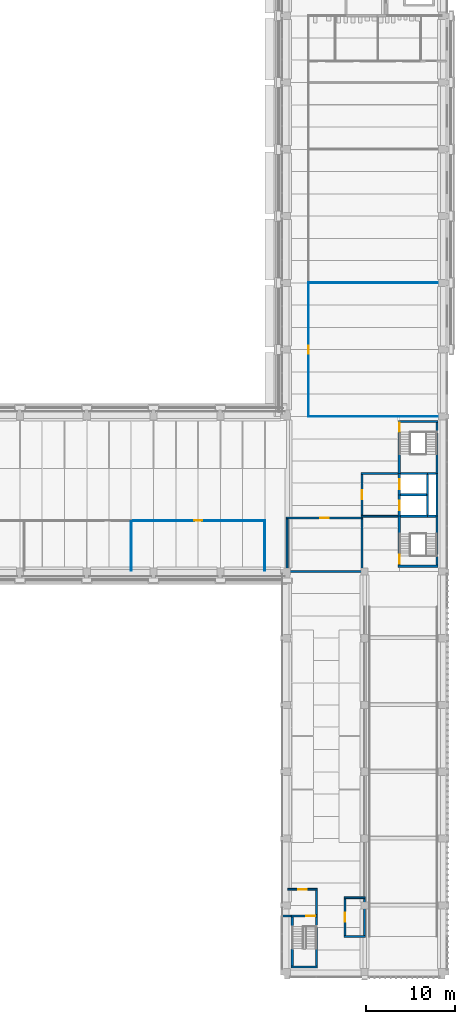
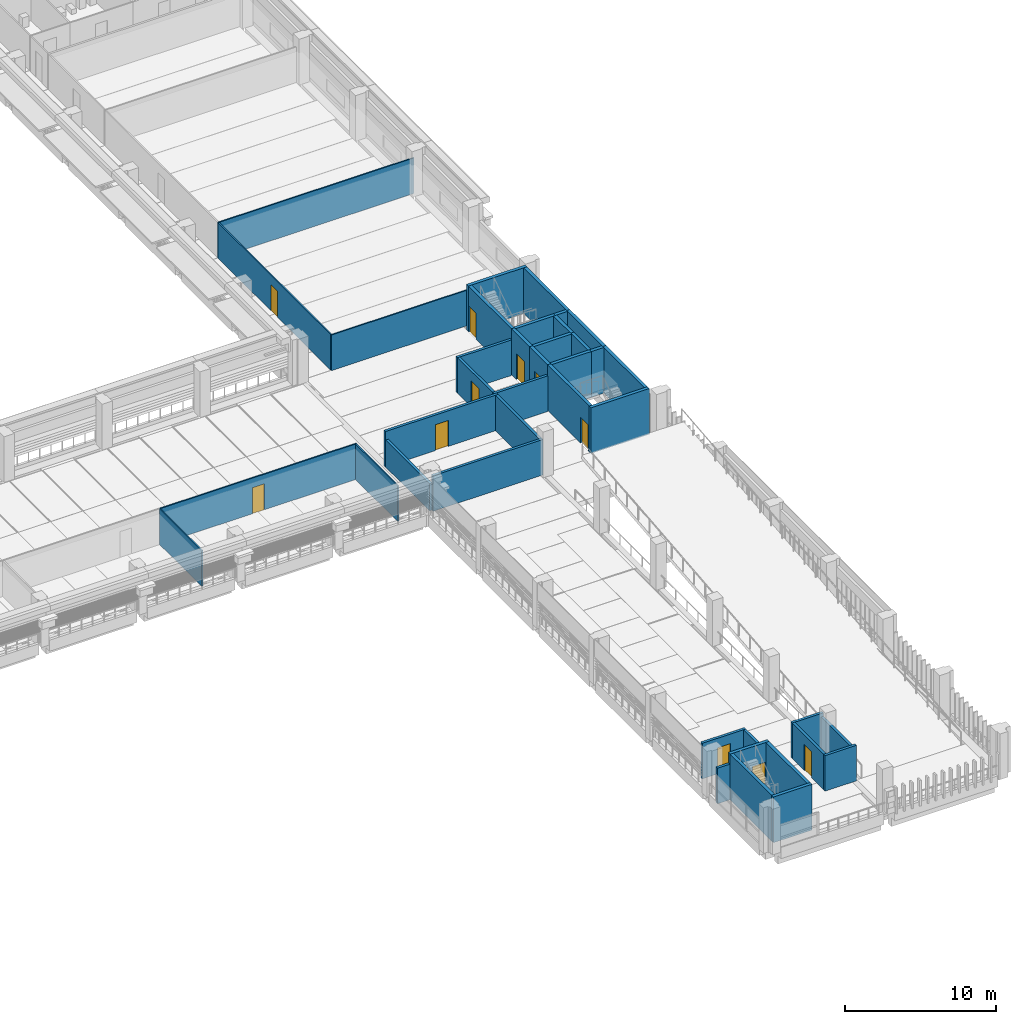
# One storey, part 35 of 71: 40 walls, 11 doors, 11 openings.
"""IFC4 building model written with IfcOpenShell, lengths in metres."""

from ifc_helpers import new_model, si_unit, direction, frame, frame_2d, origin, place, context, subcontext, project, spatial, rectangle, extrude, material, layer, layer_set, type_object, element, fill, save


model = new_model("IFC4")

# Units and contexts
model_context = context("Model", 3, precision=1e-05, world=origin(), true_north=direction((0.0, 1.0)))
body_context = subcontext(model_context, "Body", "Model", "MODEL_VIEW")
ifc_project = project(units=[si_unit("LENGTHUNIT", "METRE"), si_unit("AREAUNIT", "SQUARE_METRE"), si_unit("VOLUMEUNIT", "CUBIC_METRE"), si_unit("PLANEANGLEUNIT", "RADIAN"), si_unit("MASSUNIT", "GRAM", prefix="KILO")], contexts=[model_context])

# Site, building, storey
site_placement = place(None, origin())
site = spatial("IfcSite", under=ifc_project, at=site_placement, CompositionType="ELEMENT")
building_placement = place(site_placement, origin())
building = spatial("IfcBuilding", under=site, at=building_placement, Name="Cour d'Honneur Mobility Palace", CompositionType="ELEMENT")
storey_placement = place(building_placement, frame((0.0, 0.0, 15.60009765625)))
storey = spatial("IfcBuildingStorey", under=building, at=storey_placement, Name="L04", CompositionType="ELEMENT", Elevation=15.60009765625)

# Wall
ifc_material_1 = material(Name="Concrete C50", Category="concrete")
ifc_layer_1 = layer(ifc_material_1, 0.25)
ifc_layer_set_1 = layer_set([ifc_layer_1], Name="Concrete C50")
wall_type_1 = type_object("IfcWallType", Name="Lift shaft wall 250", PredefinedType="SHEAR", material=ifc_layer_set_1)
wall_1_placement = place(storey_placement, frame((157.625, 53.60009765625, 0.0), z_axis=(0.0, 0.0, 1.0), x_axis=(1.0, 0.0, 0.0)))
element("IfcWall", 1, at=wall_1_placement, inside=storey, type_object=wall_type_1, Name="Lift shaft wall WL-CE4 L04", PredefinedType="SHEAR", context=body_context, shape_type="SweptSolid", body=[
    extrude(rectangle(XDim=2.89990234375, YDim=0.25, at=frame_2d((1.449951171875, 0.0))), origin(), (0.0, 0.0, 1.0), 3.699951171875),
])

# Wall, opening, door
wall_2_placement = place(storey_placement, frame((157.5, 51.199951171875, 0.0), z_axis=(0.0, 0.0, 1.0), x_axis=(0.0, 1.0, 0.0)))
wall_2 = element("IfcWall", 2, at=wall_2_placement, inside=storey, type_object=wall_type_1, Name="Lift shaft wall WL-CE9 L04", PredefinedType="SHEAR", context=body_context, shape_type="SweptSolid", body=[
    extrude(rectangle(XDim=2.400146484375, YDim=0.25, at=frame_2d((1.2001953125, 0.0))), origin(), (0.0, 0.0, 1.0), 3.699951171875),
])
opening_1_placement = place(wall_2_placement, frame((0.64990234375, 0.0, 0.0)))
opening_1 = element("IfcOpeningElement", 3, at=opening_1_placement, cuts=wall_2, Name="Opening LD25", PredefinedType="OPENING", context=body_context, shape_type="SweptSolid", body=[
    extrude(rectangle(XDim=1.10009765625, YDim=2.10009765625, at=frame_2d((0.550048828125, 1.050048828125))), frame((0.0, 0.135009765625, 0.0), z_axis=(0.0, -1.0, 0.0), x_axis=(1.0, 0.0, 0.0)), (0.0, 0.0, 1.0), 0.27001953125),
])
ifc_material_2 = material(Name="Stainless steel", Category="steel")
door_type_1 = type_object("IfcDoorType", Name="Landing door 1100 x 2100", OperationType="SLIDING_TO_LEFT", PredefinedType="DOOR", material=ifc_material_2)
door_1_placement = place(opening_1_placement, origin())
door_1 = element("IfcDoor", 4, at=door_1_placement, inside=storey, type_object=door_type_1, Name="Landing door LF-CE1 L04", OperationType="SLIDING_TO_LEFT", OverallHeight=2.10009765625, OverallWidth=1.10009765625, PredefinedType="DOOR", context=body_context, shape_type="SweptSolid", body=[
    extrude(rectangle(XDim=1.10009765625, YDim=2.10009765625, at=frame_2d((0.550048828125, 1.050048828125))), frame((0.0, 0.02490234375, 0.0), z_axis=(0.0, -1.0, 0.0), x_axis=(1.0, 0.0, 0.0)), (0.0, 0.0, 1.0), 0.050048828125),
])
fill(opening_1, door_1)

wall_3_placement = place(storey_placement, frame((157.5, 53.60009765625, 0.0), z_axis=(0.0, 0.0, 1.0), x_axis=(0.0, 1.0, 0.0)))
wall_3 = element("IfcWall", 5, at=wall_3_placement, inside=storey, type_object=wall_type_1, Name="Lift shaft wall WL-CE10 L04", PredefinedType="SHEAR", context=body_context, shape_type="SweptSolid", body=[
    extrude(rectangle(XDim=2.39990234375, YDim=0.25, at=frame_2d((1.199951171875, 0.0))), origin(), (0.0, 0.0, 1.0), 3.699951171875),
])
opening_2_placement = place(wall_3_placement, frame((0.64990234375, 0.0, 0.0)))
opening_2 = element("IfcOpeningElement", 6, at=opening_2_placement, cuts=wall_3, Name="Opening LD35", PredefinedType="OPENING", context=body_context, shape_type="SweptSolid", body=[
    extrude(rectangle(XDim=1.10009765625, YDim=2.10009765625, at=frame_2d((0.550048828125, 1.050048828125))), frame((0.0, 0.135009765625, 0.0), z_axis=(0.0, -1.0, 0.0), x_axis=(1.0, 0.0, 0.0)), (0.0, 0.0, 1.0), 0.27001953125),
])
door_2_placement = place(opening_2_placement, origin())
door_2 = element("IfcDoor", 7, at=door_2_placement, inside=storey, type_object=door_type_1, Name="Landing door LF-CE2 L04", OperationType="SLIDING_TO_LEFT", OverallHeight=2.10009765625, OverallWidth=1.10009765625, PredefinedType="DOOR", context=body_context, shape_type="SweptSolid", body=[
    extrude(rectangle(XDim=1.10009765625, YDim=2.10009765625, at=frame_2d((0.550048828125, 1.050048828125))), frame((0.0, 0.02490234375, 0.0), z_axis=(0.0, -1.0, 0.0), x_axis=(1.0, 0.0, 0.0)), (0.0, 0.0, 1.0), 0.050048828125),
])
fill(opening_2, door_2)

# Walls
wall_4_placement = place(storey_placement, frame((160.64990234375, 51.324951171875, 0.0), z_axis=(0.0, 0.0, 1.0), x_axis=(0.0, 1.0, 0.0)))
element("IfcWall", 8, at=wall_4_placement, inside=storey, type_object=wall_type_1, Name="Lift shaft wall WL-CE12 L04", PredefinedType="SHEAR", context=body_context, shape_type="SweptSolid", body=[
    extrude(rectangle(XDim=2.275146484375, YDim=0.25, at=frame_2d((1.1376953125, 0.0))), origin(), (0.0, 0.0, 1.0), 3.699951171875),
])
wall_5_placement = place(storey_placement, frame((160.64990234375, 53.60009765625, 0.0), z_axis=(0.0, 0.0, 1.0), x_axis=(0.0, 1.0, 0.0)))
element("IfcWall", 9, at=wall_5_placement, inside=storey, type_object=wall_type_1, Name="Lift shaft wall WL-CE13 L04", PredefinedType="SHEAR", context=body_context, shape_type="SweptSolid", body=[
    extrude(rectangle(XDim=2.27490234375, YDim=0.25, at=frame_2d((1.137451171875, 0.0))), origin(), (0.0, 0.0, 1.0), 3.699951171875),
])
ifc_material_3 = material(Name="Gypsum plasterboard")
ifc_layer_2 = layer(ifc_material_3, 0.10009765625)
ifc_layer_set_2 = layer_set([ifc_layer_2], Name="Gypsum plasterboard")
wall_type_2 = type_object("IfcWallType", Name="Partition 100", PredefinedType="PARTITIONING", material=ifc_layer_set_2)
for number, where, z_axis, x_axis, name in (
    (10, (142.39990234375, 45.06005859375, 0.0), (0.0, 0.0, 1.0), (0.0, 1.0, 0.0), "Partition 023"),
    (11, (127.39990234375, 50.64990234375, 0.0), (0.0, 0.0, 1.0), (0.0, -1.0, 0.0), "Partition 039"),
):
    element("IfcWall", number, at=place(storey_placement, frame(where, z_axis=z_axis, x_axis=x_axis)), inside=storey, type_object=wall_type_2, Name=name, PredefinedType="PARTITIONING", context=body_context, shape_type="SweptSolid", body=[
        extrude(rectangle(XDim=5.58984375, YDim=0.10009765625, at=frame_2d((2.794921875, 0.0))), origin(), (0.0, 0.0, 1.0), 2.8798828125),
    ])

# Wall, opening, door
wall_6_placement = place(storey_placement, frame((142.449951171875, 50.699951171875, 0.0), z_axis=(0.0, 0.0, 1.0), x_axis=(-1.0, 0.0, 0.0)))
wall_6 = element("IfcWall", 12, at=wall_6_placement, inside=storey, type_object=wall_type_2, Name="Partition 041", PredefinedType="PARTITIONING", context=body_context, shape_type="SweptSolid", body=[
    extrude(rectangle(XDim=15.050048828125, YDim=0.10009765625, at=frame_2d((7.52490234375, 0.0))), origin(), (0.0, 0.0, 1.0), 2.8798828125),
])
opening_3_placement = place(wall_6_placement, frame((7.074951171875, 0.0, 0.0)))
opening_3 = element("IfcOpeningElement", 13, at=opening_3_placement, cuts=wall_6, Name="Opening D0417", PredefinedType="OPENING", context=body_context, shape_type="SweptSolid", body=[
    extrude(rectangle(XDim=0.89990234375, YDim=2.10009765625, at=frame_2d((0.449951171875, 1.050048828125))), frame((0.0, 0.06005859375, 0.0), z_axis=(0.0, -1.0, 0.0), x_axis=(1.0, 0.0, 0.0)), (0.0, 0.0, 1.0), 0.1201171875),
])
ifc_material_4 = material(Name="Solid timber", Category="wood")
door_type_2 = type_object("IfcDoorType", Name="Single door 900 x 2100", OperationType="SINGLE_SWING_LEFT", PredefinedType="DOOR", material=ifc_material_4)
door_3_placement = place(opening_3_placement, origin())
door_3 = element("IfcDoor", 14, at=door_3_placement, inside=storey, type_object=door_type_2, Name="Door Travel Information Office", OperationType="SINGLE_SWING_RIGHT", OverallHeight=2.10009765625, OverallWidth=0.89990234375, PredefinedType="DOOR", context=body_context, shape_type="SweptSolid", body=[
    extrude(rectangle(XDim=0.89990234375, YDim=2.10009765625, at=frame_2d((0.449951171875, 1.050048828125))), frame((0.0, 0.02490234375, 0.0), z_axis=(0.0, -1.0, 0.0), x_axis=(1.0, 0.0, 0.0)), (0.0, 0.0, 1.0), 0.050048828125),
])
fill(opening_3, door_3)

# Wall
wall_7_placement = place(storey_placement, frame((147.25, 62.39990234375, 0.0), z_axis=(0.0, 0.0, 1.0), x_axis=(1.0, 0.0, 0.0)))
element("IfcWall", 15, at=wall_7_placement, inside=storey, type_object=wall_type_2, Name="Partition 063", PredefinedType="PARTITIONING", context=body_context, shape_type="SweptSolid", body=[
    extrude(rectangle(XDim=14.989990234375, YDim=0.10009765625, at=frame_2d((7.4951171875, 0.0))), origin(), (0.0, 0.0, 1.0), 2.8798828125),
])

# Wall, opening, door
wall_8_placement = place(storey_placement, frame((147.300048828125, 77.35009765625, 0.0), z_axis=(0.0, 0.0, 1.0), x_axis=(0.0, -1.0, 0.0)))
wall_8 = element("IfcWall", 16, at=wall_8_placement, inside=storey, type_object=wall_type_2, Name="Partition 064", PredefinedType="PARTITIONING", context=body_context, shape_type="SweptSolid", body=[
    extrude(rectangle(XDim=14.900146484375, YDim=0.10009765625, at=frame_2d((7.4501953125, 0.0))), origin(), (0.0, 0.0, 1.0), 2.8798828125),
])
opening_4_placement = place(wall_8_placement, frame((7.0, 0.0, 0.0)))
opening_4 = element("IfcOpeningElement", 17, at=opening_4_placement, cuts=wall_8, Name="Opening D0429", PredefinedType="OPENING", context=body_context, shape_type="SweptSolid", body=[
    extrude(rectangle(XDim=0.89990234375, YDim=2.10009765625, at=frame_2d((0.449951171875, 1.050048828125))), frame((0.0, 0.06005859375, 0.0), z_axis=(0.0, -1.0, 0.0), x_axis=(1.0, 0.0, 0.0)), (0.0, 0.0, 1.0), 0.1201171875),
])
door_4_placement = place(opening_4_placement, origin())
door_4 = element("IfcDoor", 18, at=door_4_placement, inside=storey, type_object=door_type_2, Name="Door Community Room 1", OperationType="SINGLE_SWING_LEFT", OverallHeight=2.10009765625, OverallWidth=0.89990234375, PredefinedType="DOOR", context=body_context, shape_type="SweptSolid", body=[
    extrude(rectangle(XDim=0.89990234375, YDim=2.10009765625, at=frame_2d((0.449951171875, 1.050048828125))), frame((0.0, 0.02490234375, 0.0), z_axis=(0.0, -1.0, 0.0), x_axis=(1.0, 0.0, 0.0)), (0.0, 0.0, 1.0), 0.050048828125),
])
fill(opening_4, door_4)

# Walls
wall_9_placement = place(storey_placement, frame((162.239990234375, 77.39990234375, 0.0), z_axis=(0.0, 0.0, 1.0), x_axis=(-1.0, 0.0, 0.0)))
element("IfcWall", 19, at=wall_9_placement, inside=storey, type_object=wall_type_2, Name="Partition 065", PredefinedType="PARTITIONING", context=body_context, shape_type="SweptSolid", body=[
    extrude(rectangle(XDim=14.989990234375, YDim=0.10009765625, at=frame_2d((7.4951171875, 0.0))), origin(), (0.0, 0.0, 1.0), 2.8798828125),
])
ifc_material_5 = material(Name="Gypsum plasterboard")
ifc_layer_3 = layer(ifc_material_5, 0.199951171875)
ifc_layer_set_3 = layer_set([ifc_layer_3], Name="Gypsum plasterboard")
wall_type_3 = type_object("IfcWallType", Name="Partition 200 rated EI 120", PredefinedType="PARTITIONING", material=ifc_layer_set_3)
wall_10_placement = place(storey_placement, frame((151.300048828125, 4.0, 0.0), z_axis=(0.0, 0.0, 1.0), x_axis=(1.0, 0.0, 0.0)))
element("IfcWall", 20, at=wall_10_placement, inside=storey, type_object=wall_type_3, Name="Partition 003", PredefinedType="PARTITIONING", context=body_context, shape_type="SweptSolid", body=[
    extrude(rectangle(XDim=2.39990234375, YDim=0.199951171875, at=frame_2d((1.199951171875, 0.0))), origin(), (0.0, 0.0, 1.0), 2.8798828125),
])
wall_11_placement = place(storey_placement, frame((144.39990234375, 6.300048828125, 0.0), z_axis=(0.0, 0.0, 1.0), x_axis=(1.0, 0.0, 0.0)))
element("IfcWall", 21, at=wall_11_placement, inside=storey, type_object=wall_type_3, Name="Partition 006", PredefinedType="PARTITIONING", context=body_context, shape_type="SweptSolid", body=[
    extrude(rectangle(XDim=0.9501953125, YDim=0.199951171875, at=frame_2d((0.47509765625, 0.0))), origin(), (0.0, 0.0, 1.0), 2.8798828125),
])
wall_12_placement = place(storey_placement, frame((148.199951171875, 6.47509765625, 0.0), z_axis=(0.0, 0.0, 1.0), x_axis=(0.0, 1.0, 0.0)))
element("IfcWall", 22, at=wall_12_placement, inside=storey, type_object=wall_type_3, Name="Partition 007", PredefinedType="PARTITIONING", context=body_context, shape_type="SweptSolid", body=[
    extrude(rectangle(XDim=2.724853515625, YDim=0.199951171875, at=frame_2d((1.3623046875, 0.0))), origin(), (0.0, 0.0, 1.0), 2.8798828125),
])

# Wall, opening, door
wall_13_placement = place(storey_placement, frame((151.39990234375, 8.25, 0.0), z_axis=(0.0, 0.0, 1.0), x_axis=(0.0, -1.0, 0.0)))
wall_13 = element("IfcWall", 23, at=wall_13_placement, inside=storey, type_object=wall_type_3, Name="Partition 010", PredefinedType="PARTITIONING", context=body_context, shape_type="SweptSolid", body=[
    extrude(rectangle(XDim=4.14990234375, YDim=0.199951171875, at=frame_2d((2.074951171875, 0.0))), origin(), (0.0, 0.0, 1.0), 2.8798828125),
])
opening_5_placement = place(wall_13_placement, frame((1.574951171875, 0.0, 0.0)))
opening_5 = element("IfcOpeningElement", 24, at=opening_5_placement, cuts=wall_13, Name="Opening D0410", PredefinedType="OPENING", context=body_context, shape_type="SweptSolid", body=[
    extrude(rectangle(XDim=1.0, YDim=2.10009765625, at=frame_2d((0.5, 1.050048828125))), frame((0.0, 0.10986328125, 0.0), z_axis=(0.0, -1.0, 0.0), x_axis=(1.0, 0.0, 0.0)), (0.0, 0.0, 1.0), 0.219970703125),
])
ifc_material_6 = material(Name="Galvanised steel", Category="steel")
door_type_3 = type_object("IfcDoorType", Name="Fire door FD120 1000 x 2100", OperationType="SINGLE_SWING_LEFT", PredefinedType="DOOR", material=ifc_material_6)
door_5_placement = place(opening_5_placement, origin())
door_5 = element("IfcDoor", 25, at=door_5_placement, inside=storey, type_object=door_type_3, Name="Door EV Switch Room East", OperationType="SINGLE_SWING_RIGHT", OverallHeight=2.10009765625, OverallWidth=1.0, PredefinedType="DOOR", context=body_context, shape_type="SweptSolid", body=[
    extrude(rectangle(XDim=1.0, YDim=2.10009765625, at=frame_2d((0.5, 1.050048828125))), frame((0.0, 0.02490234375, 0.0), z_axis=(0.0, -1.0, 0.0), x_axis=(1.0, 0.0, 0.0)), (0.0, 0.0, 1.0), 0.050048828125),
])
fill(opening_5, door_5)

# Wall
wall_14_placement = place(storey_placement, frame((153.699951171875, 8.35009765625, 0.0), z_axis=(0.0, 0.0, 1.0), x_axis=(-1.0, 0.0, 0.0)))
element("IfcWall", 26, at=wall_14_placement, inside=storey, type_object=wall_type_3, Name="Partition 011", PredefinedType="PARTITIONING", context=body_context, shape_type="SweptSolid", body=[
    extrude(rectangle(XDim=2.39990234375, YDim=0.199951171875, at=frame_2d((1.199951171875, 0.0))), origin(), (0.0, 0.0, 1.0), 2.8798828125),
])

# Wall, opening, door
wall_15_placement = place(storey_placement, frame((148.300048828125, 9.300048828125, 0.0), z_axis=(0.0, 0.0, 1.0), x_axis=(-1.0, 0.0, 0.0)))
wall_15 = element("IfcWall", 27, at=wall_15_placement, inside=storey, type_object=wall_type_3, Name="Partition 014", PredefinedType="PARTITIONING", context=body_context, shape_type="SweptSolid", body=[
    extrude(rectangle(XDim=3.340087890625, YDim=0.199951171875, at=frame_2d((1.669921875, 0.0))), origin(), (0.0, 0.0, 1.0), 2.8798828125),
])
opening_6_placement = place(wall_15_placement, frame((1.169921875, 0.0, 0.0)))
opening_6 = element("IfcOpeningElement", 28, at=opening_6_placement, cuts=wall_15, Name="Opening D0408", PredefinedType="OPENING", context=body_context, shape_type="SweptSolid", body=[
    extrude(rectangle(XDim=1.0, YDim=2.10009765625, at=frame_2d((0.5, 1.050048828125))), frame((0.0, 0.10986328125, 0.0), z_axis=(0.0, -1.0, 0.0), x_axis=(1.0, 0.0, 0.0)), (0.0, 0.0, 1.0), 0.219970703125),
])
door_6_placement = place(opening_6_placement, origin())
door_6 = element("IfcDoor", 29, at=door_6_placement, inside=storey, type_object=door_type_3, Name="Door Stair Lobby RE", OperationType="SINGLE_SWING_RIGHT", OverallHeight=2.10009765625, OverallWidth=1.0, PredefinedType="DOOR", context=body_context, shape_type="SweptSolid", body=[
    extrude(rectangle(XDim=1.0, YDim=2.10009765625, at=frame_2d((0.5, 1.050048828125))), frame((0.0, 0.02490234375, 0.0), z_axis=(0.0, -1.0, 0.0), x_axis=(1.0, 0.0, 0.0)), (0.0, 0.0, 1.0), 0.050048828125),
])
fill(opening_6, door_6)

# Walls
wall_16_placement = place(storey_placement, frame((144.9599609375, 45.0, 0.0), z_axis=(0.0, 0.0, 1.0), x_axis=(1.0, 0.0, 0.0)))
element("IfcWall", 30, at=wall_16_placement, inside=storey, type_object=wall_type_3, Name="Partition 016", PredefinedType="PARTITIONING", context=body_context, shape_type="SweptSolid", body=[
    extrude(rectangle(XDim=8.43994140625, YDim=0.199951171875, at=frame_2d((4.219970703125, 0.0))), origin(), (0.0, 0.0, 1.0), 2.8798828125),
])
wall_17_placement = place(storey_placement, frame((153.300048828125, 45.10009765625, 0.0), z_axis=(0.0, 0.0, 1.0), x_axis=(0.0, 1.0, 0.0)))
element("IfcWall", 31, at=wall_17_placement, inside=storey, type_object=wall_type_3, Name="Partition 017", PredefinedType="PARTITIONING", context=body_context, shape_type="SweptSolid", body=[
    extrude(rectangle(XDim=5.7998046875, YDim=0.199951171875, at=frame_2d((2.89990234375, 0.0))), origin(), (0.0, 0.0, 1.0), 2.8798828125),
])

# Wall, opening, door
wall_18_placement = place(storey_placement, frame((153.39990234375, 51.0, 0.0), z_axis=(0.0, 0.0, 1.0), x_axis=(-1.0, 0.0, 0.0)))
wall_18 = element("IfcWall", 32, at=wall_18_placement, inside=storey, type_object=wall_type_3, Name="Partition 045", PredefinedType="PARTITIONING", context=body_context, shape_type="SweptSolid", body=[
    extrude(rectangle(XDim=8.599853515625, YDim=0.199951171875, at=frame_2d((4.2998046875, 0.0))), origin(), (0.0, 0.0, 1.0), 2.8798828125),
])
opening_7_placement = place(wall_18_placement, frame((3.800048828125, 0.0, 0.0)))
opening_7 = element("IfcOpeningElement", 33, at=opening_7_placement, cuts=wall_18, Name="Opening D0412", PredefinedType="OPENING", context=body_context, shape_type="SweptSolid", body=[
    extrude(rectangle(XDim=1.0, YDim=2.10009765625, at=frame_2d((0.5, 1.050048828125))), frame((0.0, 0.10986328125, 0.0), z_axis=(0.0, -1.0, 0.0), x_axis=(1.0, 0.0, 0.0)), (0.0, 0.0, 1.0), 0.219970703125),
])
door_7_placement = place(opening_7_placement, origin())
door_7 = element("IfcDoor", 34, at=door_7_placement, inside=storey, type_object=door_type_3, Name="Door EV Switch Room East", OperationType="SINGLE_SWING_RIGHT", OverallHeight=2.10009765625, OverallWidth=1.0, PredefinedType="DOOR", context=body_context, shape_type="SweptSolid", body=[
    extrude(rectangle(XDim=1.0, YDim=2.10009765625, at=frame_2d((0.5, 1.050048828125))), frame((0.0, 0.02490234375, 0.0), z_axis=(0.0, -1.0, 0.0), x_axis=(1.0, 0.0, 0.0)), (0.0, 0.0, 1.0), 0.050048828125),
])
fill(opening_7, door_7)

# Wall
wall_19_placement = place(storey_placement, frame((153.199951171875, 51.199951171875, 0.0), z_axis=(0.0, 0.0, 1.0), x_axis=(1.0, 0.0, 0.0)))
element("IfcWall", 35, at=wall_19_placement, inside=storey, type_object=wall_type_3, Name="Partition 048", PredefinedType="PARTITIONING", context=body_context, shape_type="SweptSolid", body=[
    extrude(rectangle(XDim=4.125, YDim=0.199951171875, at=frame_2d((2.0625, 0.0))), origin(), (0.0, 0.0, 1.0), 2.8798828125),
])

# Wall, opening, door
wall_20_placement = place(storey_placement, frame((153.300048828125, 55.89990234375, 0.0), z_axis=(0.0, 0.0, 1.0), x_axis=(0.0, -1.0, 0.0)))
wall_20 = element("IfcWall", 36, at=wall_20_placement, inside=storey, type_object=wall_type_3, Name="Partition 056", PredefinedType="PARTITIONING", context=body_context, shape_type="SweptSolid", body=[
    extrude(rectangle(XDim=4.599853515625, YDim=0.199951171875, at=frame_2d((2.2998046875, 0.0))), origin(), (0.0, 0.0, 1.0), 2.8798828125),
])
opening_8_placement = place(wall_20_placement, frame((1.800048828125, 0.0, 0.0)))
opening_8 = element("IfcOpeningElement", 37, at=opening_8_placement, cuts=wall_20, Name="Opening D0437", PredefinedType="OPENING", context=body_context, shape_type="SweptSolid", body=[
    extrude(rectangle(XDim=1.0, YDim=2.10009765625, at=frame_2d((0.5, 1.050048828125))), frame((0.0, 0.10986328125, 0.0), z_axis=(0.0, -1.0, 0.0), x_axis=(1.0, 0.0, 0.0)), (0.0, 0.0, 1.0), 0.219970703125),
])
door_8_placement = place(opening_8_placement, origin())
door_8 = element("IfcDoor", 38, at=door_8_placement, inside=storey, type_object=door_type_3, Name="Door Firefighting Lobby CE", OperationType="SINGLE_SWING_LEFT", OverallHeight=2.10009765625, OverallWidth=1.0, PredefinedType="DOOR", context=body_context, shape_type="SweptSolid", body=[
    extrude(rectangle(XDim=1.0, YDim=2.10009765625, at=frame_2d((0.5, 1.050048828125))), frame((0.0, 0.02490234375, 0.0), z_axis=(0.0, -1.0, 0.0), x_axis=(1.0, 0.0, 0.0)), (0.0, 0.0, 1.0), 0.050048828125),
])
fill(opening_8, door_8)

# Walls
wall_21_placement = place(storey_placement, frame((157.324951171875, 56.0, 0.0), z_axis=(0.0, 0.0, 1.0), x_axis=(-1.0, 0.0, 0.0)))
element("IfcWall", 39, at=wall_21_placement, inside=storey, type_object=wall_type_3, Name="Partition 057", PredefinedType="PARTITIONING", context=body_context, shape_type="SweptSolid", body=[
    extrude(rectangle(XDim=4.125, YDim=0.199951171875, at=frame_2d((2.0625, 0.0))), origin(), (0.0, 0.0, 1.0), 2.8798828125),
])
ifc_material_7 = material(Name="Gypsum plasterboard")
ifc_layer_4 = layer(ifc_material_7, 0.199951171875)
ifc_layer_set_4 = layer_set([ifc_layer_4], Name="Gypsum plasterboard")
wall_type_4 = type_object("IfcWallType", Name="Partition 200 rated EI 120 under beam 1100", PredefinedType="PARTITIONING", material=ifc_layer_set_4)
wall_22_placement = place(storey_placement, frame((153.60009765625, 4.10009765625, 0.0), z_axis=(0.0, 0.0, 1.0), x_axis=(0.0, 1.0, 0.0)))
element("IfcWall", 40, at=wall_22_placement, inside=storey, type_object=wall_type_4, Name="Partition 004", PredefinedType="PARTITIONING", context=body_context, shape_type="SweptSolid", body=[
    extrude(rectangle(XDim=4.14990234375, YDim=0.199951171875, at=frame_2d((2.074951171875, 0.0))), origin(), (0.0, 0.0, 1.0), 2.599853515625),
])
ifc_material_8 = material(Name="Gypsum plasterboard")
ifc_layer_5 = layer(ifc_material_8, 0.199951171875)
ifc_layer_set_5 = layer_set([ifc_layer_5], Name="Gypsum plasterboard")
wall_type_5 = type_object("IfcWallType", Name="Partition 200 rated EI 120 under beam 1500", PredefinedType="PARTITIONING", material=ifc_layer_set_5)
wall_23_placement = place(storey_placement, frame((144.89990234375, 50.89990234375, 0.0), z_axis=(0.0, 0.0, 1.0), x_axis=(0.0, -1.0, 0.0)))
element("IfcWall", 41, at=wall_23_placement, inside=storey, type_object=wall_type_5, Name="Partition 044", PredefinedType="PARTITIONING", context=body_context, shape_type="SweptSolid", body=[
    extrude(rectangle(XDim=5.83984375, YDim=0.199951171875, at=frame_2d((2.919921875, 0.0))), origin(), (0.0, 0.0, 1.0), 2.199951171875),
])
ifc_material_9 = material(Name="Concrete C50", Category="concrete")
ifc_layer_6 = layer(ifc_material_9, 0.25)
ifc_layer_set_6 = layer_set([ifc_layer_6], Name="Concrete C50")
wall_type_6 = type_object("IfcWallType", Name="Shaft wall 250", PredefinedType="SHEAR", material=ifc_layer_set_6)
wall_24_placement = place(storey_placement, frame((161.72509765625, 51.199951171875, 0.0), z_axis=(0.0, 0.0, 1.0), x_axis=(0.0, 1.0, 0.0)))
element("IfcWall", 42, at=wall_24_placement, inside=storey, type_object=wall_type_6, Name="Shaft wall WR-CE15 L04", PredefinedType="SHEAR", context=body_context, shape_type="SweptSolid", body=[
    extrude(rectangle(XDim=4.800048828125, YDim=0.25, at=frame_2d((2.39990234375, 0.0))), origin(), (0.0, 0.0, 1.0), 3.699951171875),
])
ifc_material_10 = material(Name="Concrete C50", Category="concrete")
ifc_layer_7 = layer(ifc_material_10, 0.25)
ifc_layer_set_7 = layer_set([ifc_layer_7], Name="Concrete C50")
wall_type_7 = type_object("IfcWallType", Name="Stair wall 250", PredefinedType="SHEAR", material=ifc_layer_set_7)
wall_25_placement = place(storey_placement, frame((157.375, 45.574951171875, 0.0), z_axis=(0.0, 0.0, 1.0), x_axis=(1.0, 0.0, 0.0)))
element("IfcWall", 43, at=wall_25_placement, inside=storey, type_object=wall_type_7, Name="Stair wall WS-CE1 L04", PredefinedType="SHEAR", context=body_context, shape_type="SweptSolid", body=[
    extrude(rectangle(XDim=4.47509765625, YDim=0.25, at=frame_2d((2.237548828125, 0.0))), origin(), (0.0, 0.0, 1.0), 3.699951171875),
])
wall_26_placement = place(storey_placement, frame((157.625, 51.199951171875, 0.0), z_axis=(0.0, 0.0, 1.0), x_axis=(1.0, 0.0, 0.0)))
element("IfcWall", 44, at=wall_26_placement, inside=storey, type_object=wall_type_7, Name="Stair wall WS-CE2 L04", PredefinedType="SHEAR", context=body_context, shape_type="SweptSolid", body=[
    extrude(rectangle(XDim=3.02490234375, YDim=0.25, at=frame_2d((1.512451171875, 0.0))), origin(), (0.0, 0.0, 1.0), 3.699951171875),
])
wall_27_placement = place(storey_placement, frame((160.64990234375, 51.199951171875, 0.0), z_axis=(0.0, 0.0, 1.0), x_axis=(1.0, 0.0, 0.0)))
element("IfcWall", 45, at=wall_27_placement, inside=storey, type_object=wall_type_7, Name="Stair wall WS-CE3 L04", PredefinedType="SHEAR", context=body_context, shape_type="SweptSolid", body=[
    extrude(rectangle(XDim=0.9501953125, YDim=0.25, at=frame_2d((0.47509765625, 0.0))), origin(), (0.0, 0.0, 1.0), 3.699951171875),
])
wall_28_placement = place(storey_placement, frame((157.625, 56.0, 0.0), z_axis=(0.0, 0.0, 1.0), x_axis=(1.0, 0.0, 0.0)))
element("IfcWall", 46, at=wall_28_placement, inside=storey, type_object=wall_type_7, Name="Stair wall WS-CE5 L04", PredefinedType="SHEAR", context=body_context, shape_type="SweptSolid", body=[
    extrude(rectangle(XDim=3.02490234375, YDim=0.25, at=frame_2d((1.512451171875, 0.0))), origin(), (0.0, 0.0, 1.0), 3.699951171875),
])
wall_29_placement = place(storey_placement, frame((160.64990234375, 56.0, 0.0), z_axis=(0.0, 0.0, 1.0), x_axis=(1.0, 0.0, 0.0)))
element("IfcWall", 47, at=wall_29_placement, inside=storey, type_object=wall_type_7, Name="Stair wall WS-CE6 L04", PredefinedType="SHEAR", context=body_context, shape_type="SweptSolid", body=[
    extrude(rectangle(XDim=0.9501953125, YDim=0.25, at=frame_2d((0.47509765625, 0.0))), origin(), (0.0, 0.0, 1.0), 3.699951171875),
])
wall_30_placement = place(storey_placement, frame((157.375, 61.824951171875, 0.0), z_axis=(0.0, 0.0, 1.0), x_axis=(1.0, 0.0, 0.0)))
element("IfcWall", 48, at=wall_30_placement, inside=storey, type_object=wall_type_7, Name="Stair wall WS-CE7 L04", PredefinedType="SHEAR", context=body_context, shape_type="SweptSolid", body=[
    extrude(rectangle(XDim=4.47509765625, YDim=0.25, at=frame_2d((2.237548828125, 0.0))), origin(), (0.0, 0.0, 1.0), 3.699951171875),
])

# Wall, opening, door
wall_31_placement = place(storey_placement, frame((157.5, 45.699951171875, 0.0), z_axis=(0.0, 0.0, 1.0), x_axis=(0.0, 1.0, 0.0)))
wall_31 = element("IfcWall", 49, at=wall_31_placement, inside=storey, type_object=wall_type_7, Name="Stair wall WS-CE8 L04", PredefinedType="SHEAR", context=body_context, shape_type="SweptSolid", body=[
    extrude(rectangle(XDim=5.5, YDim=0.25, at=frame_2d((2.75, 0.0))), origin(), (0.0, 0.0, 1.0), 3.699951171875),
])
opening_9_placement = place(wall_31_placement, frame((0.14990234375, 0.0, 0.0)))
opening_9 = element("IfcOpeningElement", 50, at=opening_9_placement, cuts=wall_31, Name="Opening S143", PredefinedType="OPENING", context=body_context, shape_type="SweptSolid", body=[
    extrude(rectangle(XDim=1.0, YDim=2.10009765625, at=frame_2d((0.5, 1.050048828125))), frame((0.0, 0.135009765625, 0.0), z_axis=(0.0, -1.0, 0.0), x_axis=(1.0, 0.0, 0.0)), (0.0, 0.0, 1.0), 0.27001953125),
])
ifc_material_11 = material(Name="Galvanised steel", Category="steel")
door_type_4 = type_object("IfcDoorType", Name="Fire door FD120 stair 1000 x 2100", OperationType="SINGLE_SWING_LEFT", PredefinedType="DOOR", material=ifc_material_11)
door_9_placement = place(opening_9_placement, origin())
door_9 = element("IfcDoor", 51, at=door_9_placement, inside=storey, type_object=door_type_4, Name="Stair door ST-CE1 L04", OperationType="SINGLE_SWING_LEFT", OverallHeight=2.10009765625, OverallWidth=1.0, PredefinedType="DOOR", context=body_context, shape_type="SweptSolid", body=[
    extrude(rectangle(XDim=1.0, YDim=2.10009765625, at=frame_2d((0.5, 1.050048828125))), frame((0.0, 0.02490234375, 0.0), z_axis=(0.0, -1.0, 0.0), x_axis=(1.0, 0.0, 0.0)), (0.0, 0.0, 1.0), 0.050048828125),
])
fill(opening_9, door_9)

wall_32_placement = place(storey_placement, frame((157.5, 56.0, 0.0), z_axis=(0.0, 0.0, 1.0), x_axis=(0.0, 1.0, 0.0)))
wall_32 = element("IfcWall", 52, at=wall_32_placement, inside=storey, type_object=wall_type_7, Name="Stair wall WS-CE11 L04", PredefinedType="SHEAR", context=body_context, shape_type="SweptSolid", body=[
    extrude(rectangle(XDim=5.699951171875, YDim=0.25, at=frame_2d((2.85009765625, 0.0))), origin(), (0.0, 0.0, 1.0), 3.699951171875),
])
opening_10_placement = place(wall_32_placement, frame((4.675048828125, 0.0, 0.0)))
opening_10 = element("IfcOpeningElement", 53, at=opening_10_placement, cuts=wall_32, Name="Opening S79", PredefinedType="OPENING", context=body_context, shape_type="SweptSolid", body=[
    extrude(rectangle(XDim=1.0, YDim=2.10009765625, at=frame_2d((0.5, 1.050048828125))), frame((0.0, 0.135009765625, 0.0), z_axis=(0.0, -1.0, 0.0), x_axis=(1.0, 0.0, 0.0)), (0.0, 0.0, 1.0), 0.27001953125),
])
door_10_placement = place(opening_10_placement, origin())
door_10 = element("IfcDoor", 54, at=door_10_placement, inside=storey, type_object=door_type_4, Name="Stair door ST-CE2 L04", OperationType="SINGLE_SWING_RIGHT", OverallHeight=2.10009765625, OverallWidth=1.0, PredefinedType="DOOR", context=body_context, shape_type="SweptSolid", body=[
    extrude(rectangle(XDim=1.0, YDim=2.10009765625, at=frame_2d((0.5, 1.050048828125))), frame((0.0, 0.02490234375, 0.0), z_axis=(0.0, -1.0, 0.0), x_axis=(1.0, 0.0, 0.0)), (0.0, 0.0, 1.0), 0.050048828125),
])
fill(opening_10, door_10)

# Walls
wall_33_placement = place(storey_placement, frame((161.72509765625, 45.699951171875, 0.0), z_axis=(0.0, 0.0, 1.0), x_axis=(0.0, 1.0, 0.0)))
element("IfcWall", 55, at=wall_33_placement, inside=storey, type_object=wall_type_7, Name="Stair wall WS-CE14 L04", PredefinedType="SHEAR", context=body_context, shape_type="SweptSolid", body=[
    extrude(rectangle(XDim=5.5, YDim=0.25, at=frame_2d((2.75, 0.0))), origin(), (0.0, 0.0, 1.0), 3.699951171875),
])
wall_34_placement = place(storey_placement, frame((161.72509765625, 56.0, 0.0), z_axis=(0.0, 0.0, 1.0), x_axis=(0.0, 1.0, 0.0)))
element("IfcWall", 56, at=wall_34_placement, inside=storey, type_object=wall_type_7, Name="Stair wall WS-CE16 L04", PredefinedType="SHEAR", context=body_context, shape_type="SweptSolid", body=[
    extrude(rectangle(XDim=5.699951171875, YDim=0.25, at=frame_2d((2.85009765625, 0.0))), origin(), (0.0, 0.0, 1.0), 3.699951171875),
])
wall_35_placement = place(storey_placement, frame((145.35009765625, 0.574951171875, 0.0), z_axis=(0.0, 0.0, 1.0), x_axis=(1.0, 0.0, 0.0)))
element("IfcWall", 57, at=wall_35_placement, inside=storey, type_object=wall_type_7, Name="Stair wall WS-RE1 L04", PredefinedType="SHEAR", context=body_context, shape_type="SweptSolid", body=[
    extrude(rectangle(XDim=2.974853515625, YDim=0.25, at=frame_2d((1.4873046875, 0.0))), origin(), (0.0, 0.0, 1.0), 3.699951171875),
])

# Wall, opening, door
wall_36_placement = place(storey_placement, frame((145.35009765625, 6.300048828125, 0.0), z_axis=(0.0, 0.0, 1.0), x_axis=(1.0, 0.0, 0.0)))
wall_36 = element("IfcWall", 58, at=wall_36_placement, inside=storey, type_object=wall_type_7, Name="Stair wall WS-RE2 L04", PredefinedType="SHEAR", context=body_context, shape_type="SweptSolid", body=[
    extrude(rectangle(XDim=2.974853515625, YDim=0.25, at=frame_2d((1.4873046875, 0.0))), origin(), (0.0, 0.0, 1.0), 3.699951171875),
])
opening_11_placement = place(wall_36_placement, frame((1.72509765625, 0.0, 0.0)))
opening_11 = element("IfcOpeningElement", 59, at=opening_11_placement, cuts=wall_36, Name="Opening S123", PredefinedType="OPENING", context=body_context, shape_type="SweptSolid", body=[
    extrude(rectangle(XDim=1.0, YDim=2.10009765625, at=frame_2d((0.5, 1.050048828125))), frame((0.0, 0.135009765625, 0.0), z_axis=(0.0, -1.0, 0.0), x_axis=(1.0, 0.0, 0.0)), (0.0, 0.0, 1.0), 0.27001953125),
])
door_11_placement = place(opening_11_placement, origin())
door_11 = element("IfcDoor", 60, at=door_11_placement, inside=storey, type_object=door_type_4, Name="Stair door ST-RE1 L04", OperationType="SINGLE_SWING_RIGHT", OverallHeight=2.10009765625, OverallWidth=1.0, PredefinedType="DOOR", context=body_context, shape_type="SweptSolid", body=[
    extrude(rectangle(XDim=1.0, YDim=2.10009765625, at=frame_2d((0.5, 1.050048828125))), frame((0.0, 0.02490234375, 0.0), z_axis=(0.0, -1.0, 0.0), x_axis=(1.0, 0.0, 0.0)), (0.0, 0.0, 1.0), 0.050048828125),
])
fill(opening_11, door_11)

# Walls
for number, where, z_axis, x_axis, name in (
    (61, (145.47509765625, 0.699951171875, 0.0), (0.0, 0.0, 1.0), (0.0, 1.0, 0.0), "Stair wall WS-RE3 L04"),
    (62, (148.199951171875, 0.699951171875, 0.0), (0.0, 0.0, 1.0), (0.0, 1.0, 0.0), "Stair wall WS-RE4 L04"),
):
    element("IfcWall", number, at=place(storey_placement, frame(where, z_axis=z_axis, x_axis=x_axis)), inside=storey, type_object=wall_type_7, Name=name, PredefinedType="SHEAR", context=body_context, shape_type="SweptSolid", body=[
        extrude(rectangle(XDim=5.47509765625, YDim=0.25, at=frame_2d((2.737548828125, 0.0))), origin(), (0.0, 0.0, 1.0), 3.699951171875),
    ])

save(model, "model.ifc")
